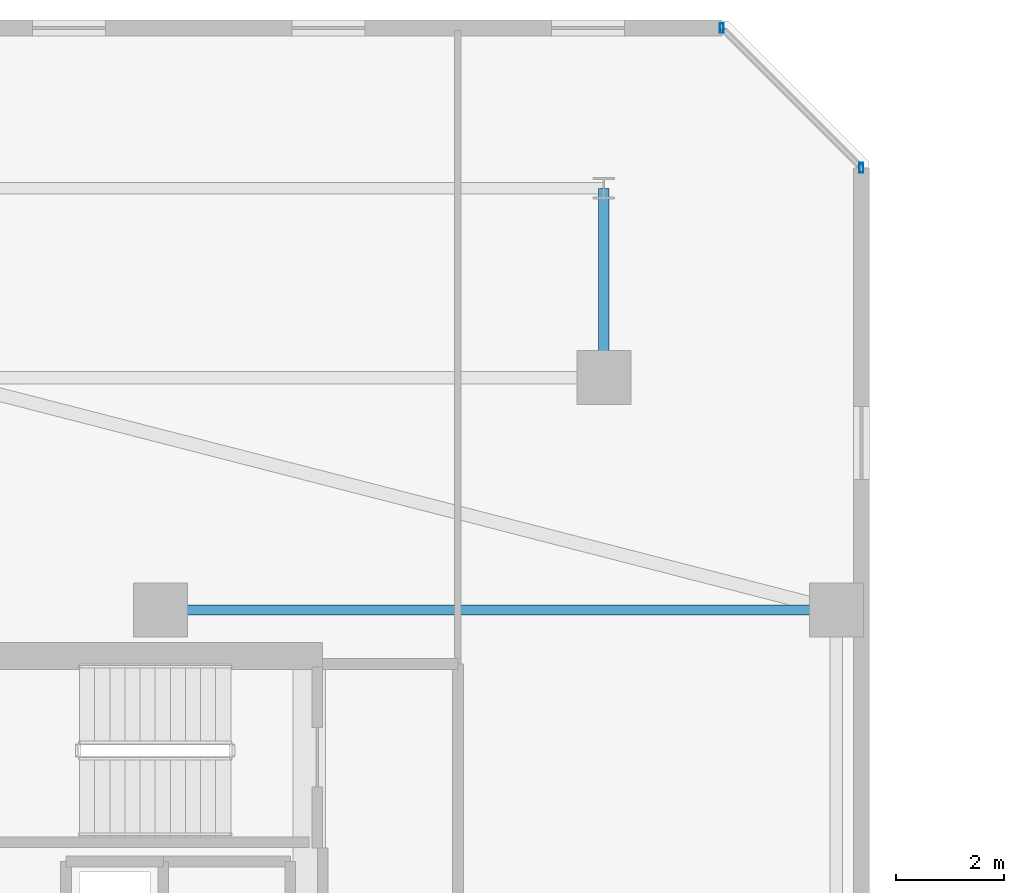
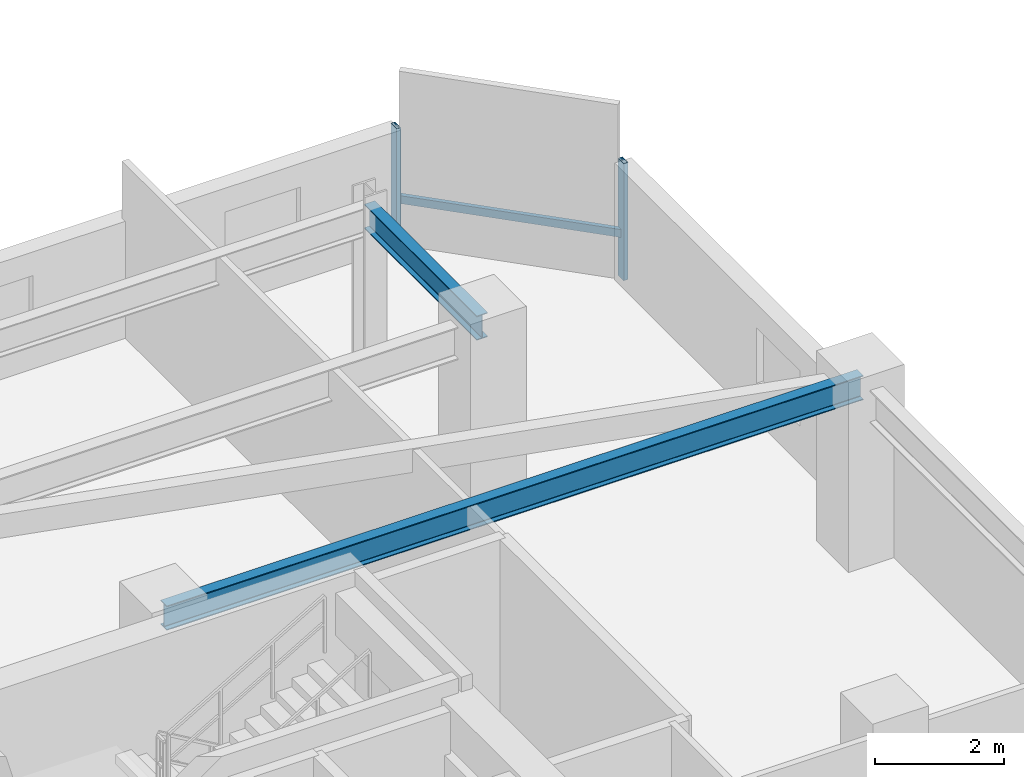
# One storey, part 10 of 35: 3 members, 2 beams, 1 element without a shape of its own.
"""IFC4 building model written with IfcOpenShell, lengths in metres."""

from ifc_helpers import new_model, si_unit, direction, frame, origin, origin_2d, place, context, subcontext, project, spatial, hollow_rectangle, i_section, extrude, material, material_profile, profile_set, type_object, element, aggregate, save


model = new_model("IFC4")

# Units and contexts
model_context = context("Model", 3, precision=1e-05, world=origin(), true_north=direction((0.0, 1.0)))
body_context = subcontext(model_context, "Body", "Model", "MODEL_VIEW")
ifc_project = project(units=[si_unit("LENGTHUNIT", "METRE"), si_unit("AREAUNIT", "SQUARE_METRE"), si_unit("VOLUMEUNIT", "CUBIC_METRE"), si_unit("PLANEANGLEUNIT", "RADIAN"), si_unit("MASSUNIT", "GRAM", prefix="KILO")], contexts=[model_context])

# Site, building, storey
site_placement = place(None, origin())
site = spatial("IfcSite", under=ifc_project, at=site_placement, CompositionType="ELEMENT")
building_placement = place(site_placement, origin())
building = spatial("IfcBuilding", under=site, at=building_placement, Name="Thornwick Lancets Civic Towers", CompositionType="ELEMENT")
storey_placement = place(building_placement, frame((0.0, 0.0, 225.89990234375)))
storey = spatial("IfcBuildingStorey", under=building, at=storey_placement, Name="L60", CompositionType="ELEMENT", Elevation=225.89990234375)

# Beams
ifc_material_1 = material(Name="Steel S355JR", Category="steel")
ifc_material_profile_1 = material_profile(ifc_material_1, i_section(OverallWidth=0.19189453125, OverallDepth=0.46337890625, WebThickness=0.010498046875, FlangeThickness=0.017578125, FilletRadius=0.01025390625, at=origin_2d()), Name="UKB 457x191x89")
ifc_profile_set_1 = profile_set([ifc_material_profile_1], Name="Steel S355JR")
beam_type = type_object("IfcBeamType", Name="BM_JOIST_457_89", PredefinedType="JOIST", material=ifc_profile_set_1)
beam_1_placement = place(storey_placement, frame((30.300048828125, 40.0, 3.08837890625), z_axis=(1.0, 0.0, 0.0), x_axis=(0.0, 1.0, 0.0)))
element("IfcBeam", 1, at=beam_1_placement, inside=storey, type_object=beam_type, Name="BM-RADIN-L60-A06", PredefinedType="JOIST", context=body_context, shape_type="SweptSolid", body=[
    extrude(i_section(OverallWidth=0.19189453125, OverallDepth=0.46337890625, WebThickness=0.010498046875, FlangeThickness=0.017578125, FilletRadius=0.01025390625, at=origin_2d()), origin(), (0.0, 0.0, 1.0), 12.5),
])
beam_2_placement = place(storey_placement, frame((38.5, 44.300048828125, 3.08837890625), z_axis=(0.0, 1.0, 0.0), x_axis=(-1.0, 0.0, 0.0)))
element("IfcBeam", 2, at=beam_2_placement, inside=storey, type_object=beam_type, Name="BM-RAD-L60-A09", PredefinedType="JOIST", context=body_context, shape_type="SweptSolid", body=[
    extrude(i_section(OverallWidth=0.19189453125, OverallDepth=0.46337890625, WebThickness=0.010498046875, FlangeThickness=0.017578125, FilletRadius=0.01025390625, at=origin_2d()), origin(), (0.0, 0.0, 1.0), 3.5),
])

# Curtain wall, members
ifc_material_2 = material(Name="High-zone chamfered-corner unitised glass curtain wall", Category="glass")
curtain_wall_type = type_object("IfcCurtainWallType", Name="CW_SYS_05", PredefinedType="NOTDEFINED", material=ifc_material_2)
curtain_wall_placement = place(storey_placement, origin())
curtain_wall = element("IfcCurtainWall", 3, at=curtain_wall_placement, inside=storey, type_object=curtain_wall_type, Name="L60 Curtain Wall CW-L60-A-E3", PredefinedType="NOTDEFINED")
ifc_material_3 = material(Name="Thermally broken bronze aluminium S355", Category="steel")
ifc_material_profile_2 = material_profile(ifc_material_3, hollow_rectangle(XDim=0.074951171875, YDim=0.179931640625, WallThickness=0.006103515625, at=origin_2d()), Name="RHS 180x75x6")
ifc_profile_set_2 = profile_set([ifc_material_profile_2], Name="Thermally broken bronze aluminium S355")
member_type_1 = type_object("IfcMemberType", Name="CW_MUL_180", PredefinedType="MULLION", material=ifc_profile_set_2)
member_1_placement = place(storey_placement, frame((43.2646484375, 48.181396484375, 0.0), z_axis=(0.0, 0.0, 1.0), x_axis=(1.0, 0.0, 0.0)))
member_1 = element("IfcMember", 4, at=member_1_placement, type_object=member_type_1, Name="CW-L60-A-E3 Mullion 0", PredefinedType="MULLION", context=body_context, shape_type="SweptSolid", body=[
    extrude(hollow_rectangle(XDim=0.074951171875, YDim=0.179931640625, WallThickness=0.006103515625, at=origin_2d()), origin(), (0.0, 0.0, 1.0), 2.22021484375),
])
member_2_placement = place(storey_placement, frame((40.681396484375, 50.7646484375, 0.0), z_axis=(0.0, 0.0, 1.0), x_axis=(1.0, 0.0, 0.0)))
member_2 = element("IfcMember", 5, at=member_2_placement, type_object=member_type_1, Name="CW-L60-A-E3 Mullion 1", PredefinedType="MULLION", context=body_context, shape_type="SweptSolid", body=[
    extrude(hollow_rectangle(XDim=0.074951171875, YDim=0.179931640625, WallThickness=0.006103515625, at=origin_2d()), origin(), (0.0, 0.0, 1.0), 2.22021484375),
])
ifc_material_profile_3 = material_profile(ifc_material_3, hollow_rectangle(XDim=0.074951171875, YDim=0.14990234375, WallThickness=0.0048828125, at=origin_2d()), Name="RHS 150x75x5")
ifc_profile_set_3 = profile_set([ifc_material_profile_3], Name="Thermally broken bronze aluminium S355")
member_type_2 = type_object("IfcMemberType", Name="CW_TRN_150", PredefinedType="USERDEFINED", material=ifc_profile_set_3)
member_3_placement = place(storey_placement, frame((43.25048828125, 48.195556640625, 0.85009765625), z_axis=(-0.707106781187, 0.707106781187, 0.0), x_axis=(-0.707106781187, -0.707106781187, 0.0)))
member_3 = element("IfcMember", 6, at=member_3_placement, type_object=member_type_2, Name="CW-L60-A-E3 Transom 0", ObjectType="TRANSOM", PredefinedType="USERDEFINED", context=body_context, shape_type="SweptSolid", body=[
    extrude(hollow_rectangle(XDim=0.074951171875, YDim=0.14990234375, WallThickness=0.0048828125, at=origin_2d()), origin(), (0.0, 0.0, 1.0), 3.61328125),
])
aggregate(curtain_wall, [member_1, member_2, member_3])

save(model, "model.ifc")
